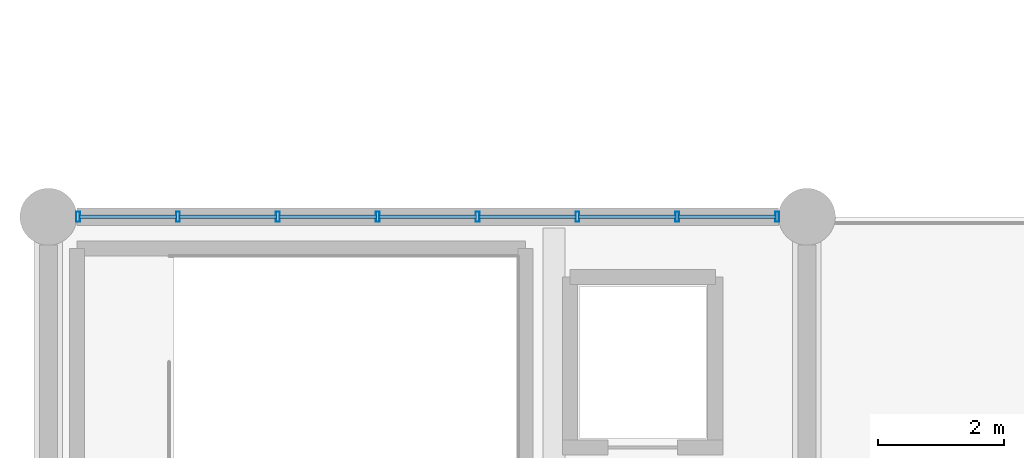
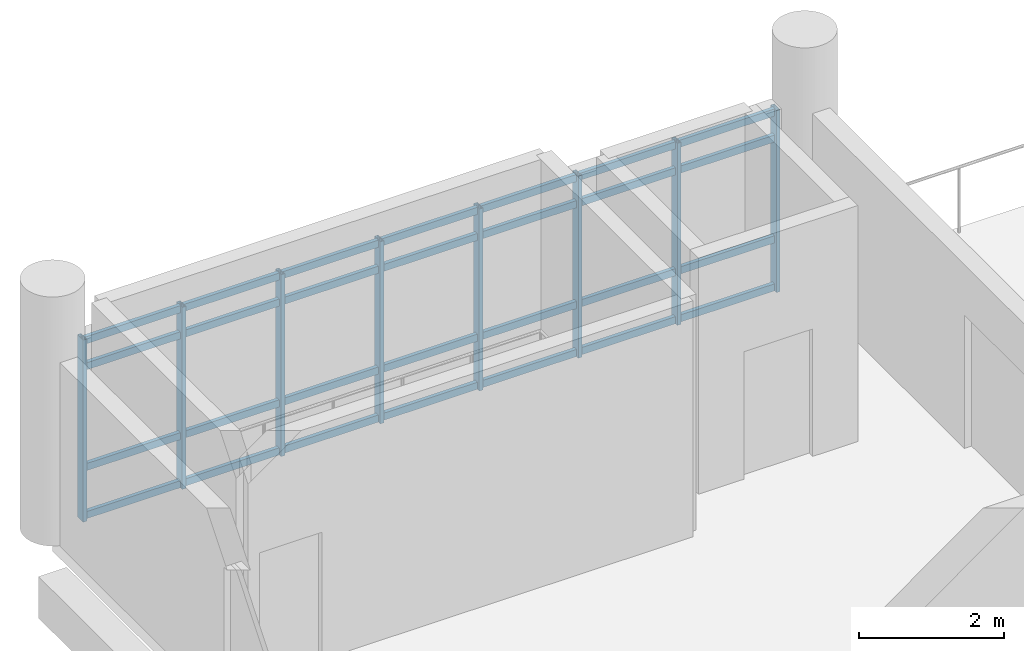
# One storey, part 8 of 111: 36 members, 1 element without a shape of its own.
"""IFC4 building model written with IfcOpenShell, lengths in metres."""

from ifc_helpers import new_model, si_unit, direction, frame, origin, origin_2d, place, context, subcontext, project, spatial, hollow_rectangle, extrude, material, layer, layer_set, material_profile, profile_set, type_object, element, aggregate, save


model = new_model("IFC4")

# Units and contexts
model_context = context("Model", 3, precision=1e-05, world=origin(), true_north=direction((0.0, 1.0)))
body_context = subcontext(model_context, "Body", "Model", "MODEL_VIEW")
ifc_project = project(units=[si_unit("LENGTHUNIT", "METRE"), si_unit("AREAUNIT", "SQUARE_METRE"), si_unit("VOLUMEUNIT", "CUBIC_METRE"), si_unit("PLANEANGLEUNIT", "RADIAN"), si_unit("MASSUNIT", "GRAM", prefix="KILO")], contexts=[model_context])

# Site, building, storey
site_placement = place(None, origin())
site = spatial("IfcSite", under=ifc_project, at=site_placement, CompositionType="ELEMENT")
building_placement = place(site_placement, origin())
building = spatial("IfcBuilding", under=site, at=building_placement, Name="Mersad Railyard Sports Hall", CompositionType="ELEMENT")
storey_placement = place(building_placement, frame((0.0, 0.0, 9.0)))
storey = spatial("IfcBuildingStorey", under=building, at=storey_placement, Name="L02", CompositionType="ELEMENT", Elevation=9.0)

# Curtain wall, members
ifc_material = material(Name="Aluminium 6063-T6", Category="aluminium")
ifc_layer = layer(ifc_material, 0.159912109375)
ifc_layer_set = layer_set([ifc_layer], Name="Aluminium 6063-T6")
curtain_wall_type = type_object("IfcCurtainWallType", Name="ARC-CW-CW06", PredefinedType="USERDEFINED", material=ifc_layer_set)
curtain_wall_placement = place(storey_placement, origin())
curtain_wall = element("IfcCurtainWall", 1, at=curtain_wall_placement, inside=storey, type_object=curtain_wall_type, Name="Curtain wall CW06-0031", ObjectType="CURTAIN WALL", PredefinedType="USERDEFINED")
ifc_material_profile_1 = material_profile(ifc_material, hollow_rectangle(XDim=0.06005859375, YDim=0.159912109375, WallThickness=0.00390625, at=origin_2d()), Name="AL MULLION 60x160x4")
ifc_profile_set_1 = profile_set([ifc_material_profile_1], Name="Aluminium 6063-T6")
member_type_1 = type_object("IfcMemberType", Name="ARC-CW-MUL01", PredefinedType="MULLION", material=ifc_profile_set_1)
member_1_placement = place(storey_placement, frame((7.469970703125, 53.5, -0.02001953125), z_axis=(0.0, 0.0, 1.0), x_axis=(1.0, 0.0, 0.0)))
member_1 = element("IfcMember", 2, at=member_1_placement, type_object=member_type_1, Name="CW06 Mullion 1", PredefinedType="MULLION", context=body_context, shape_type="SweptSolid", body=[
    extrude(hollow_rectangle(XDim=0.06005859375, YDim=0.159912109375, WallThickness=0.00390625, at=origin_2d()), origin(), (0.0, 0.0, 1.0), 3.070068359375),
])
member_2_placement = place(storey_placement, frame((9.050048828125, 53.5, -0.02001953125), z_axis=(0.0, 0.0, 1.0), x_axis=(1.0, 0.0, 0.0)))
member_2 = element("IfcMember", 3, at=member_2_placement, type_object=member_type_1, Name="CW06 Mullion 2", PredefinedType="MULLION", context=body_context, shape_type="SweptSolid", body=[
    extrude(hollow_rectangle(XDim=0.06005859375, YDim=0.159912109375, WallThickness=0.00390625, at=origin_2d()), origin(), (0.0, 0.0, 1.0), 3.070068359375),
])
member_3_placement = place(storey_placement, frame((10.6298828125, 53.5, -0.02001953125), z_axis=(0.0, 0.0, 1.0), x_axis=(1.0, 0.0, 0.0)))
member_3 = element("IfcMember", 4, at=member_3_placement, type_object=member_type_1, Name="CW06 Mullion 3", PredefinedType="MULLION", context=body_context, shape_type="SweptSolid", body=[
    extrude(hollow_rectangle(XDim=0.06005859375, YDim=0.159912109375, WallThickness=0.00390625, at=origin_2d()), origin(), (0.0, 0.0, 1.0), 3.070068359375),
])
member_4_placement = place(storey_placement, frame((12.2099609375, 53.5, -0.02001953125), z_axis=(0.0, 0.0, 1.0), x_axis=(1.0, 0.0, 0.0)))
member_4 = element("IfcMember", 5, at=member_4_placement, type_object=member_type_1, Name="CW06 Mullion 4", PredefinedType="MULLION", context=body_context, shape_type="SweptSolid", body=[
    extrude(hollow_rectangle(XDim=0.06005859375, YDim=0.159912109375, WallThickness=0.00390625, at=origin_2d()), origin(), (0.0, 0.0, 1.0), 3.070068359375),
])
member_5_placement = place(storey_placement, frame((13.7900390625, 53.5, -0.02001953125), z_axis=(0.0, 0.0, 1.0), x_axis=(1.0, 0.0, 0.0)))
member_5 = element("IfcMember", 6, at=member_5_placement, type_object=member_type_1, Name="CW06 Mullion 5", PredefinedType="MULLION", context=body_context, shape_type="SweptSolid", body=[
    extrude(hollow_rectangle(XDim=0.06005859375, YDim=0.159912109375, WallThickness=0.00390625, at=origin_2d()), origin(), (0.0, 0.0, 1.0), 3.070068359375),
])
member_6_placement = place(storey_placement, frame((15.3701171875, 53.5, -0.02001953125), z_axis=(0.0, 0.0, 1.0), x_axis=(1.0, 0.0, 0.0)))
member_6 = element("IfcMember", 7, at=member_6_placement, type_object=member_type_1, Name="CW06 Mullion 6", PredefinedType="MULLION", context=body_context, shape_type="SweptSolid", body=[
    extrude(hollow_rectangle(XDim=0.06005859375, YDim=0.159912109375, WallThickness=0.00390625, at=origin_2d()), origin(), (0.0, 0.0, 1.0), 3.070068359375),
])
member_7_placement = place(storey_placement, frame((16.949951171875, 53.5, -0.02001953125), z_axis=(0.0, 0.0, 1.0), x_axis=(1.0, 0.0, 0.0)))
member_7 = element("IfcMember", 8, at=member_7_placement, type_object=member_type_1, Name="CW06 Mullion 7", PredefinedType="MULLION", context=body_context, shape_type="SweptSolid", body=[
    extrude(hollow_rectangle(XDim=0.06005859375, YDim=0.159912109375, WallThickness=0.00390625, at=origin_2d()), origin(), (0.0, 0.0, 1.0), 3.070068359375),
])
member_8_placement = place(storey_placement, frame((18.530029296875, 53.5, -0.02001953125), z_axis=(0.0, 0.0, 1.0), x_axis=(1.0, 0.0, 0.0)))
member_8 = element("IfcMember", 9, at=member_8_placement, type_object=member_type_1, Name="CW06 Mullion 8", PredefinedType="MULLION", context=body_context, shape_type="SweptSolid", body=[
    extrude(hollow_rectangle(XDim=0.06005859375, YDim=0.159912109375, WallThickness=0.00390625, at=origin_2d()), origin(), (0.0, 0.0, 1.0), 3.070068359375),
])
ifc_material_profile_2 = material_profile(ifc_material, hollow_rectangle(XDim=0.06005859375, YDim=0.1201171875, WallThickness=0.00390625, at=origin_2d()), Name="AL TRANSOM 60x120x4")
ifc_profile_set_2 = profile_set([ifc_material_profile_2], Name="Aluminium 6063-T6")
member_type_2 = type_object("IfcMemberType", Name="ARC-CW-TRN01", PredefinedType="USERDEFINED", material=ifc_profile_set_2)
member_9_placement = place(storey_placement, frame((7.489990234375, 53.5, 0.0400390625), z_axis=(1.0, 0.0, 0.0), x_axis=(0.0, 1.0, 0.0)))
member_9 = element("IfcMember", 10, at=member_9_placement, type_object=member_type_2, Name="CW06 Transom 1-1", ObjectType="TRANSOM", PredefinedType="USERDEFINED", context=body_context, shape_type="SweptSolid", body=[
    extrude(hollow_rectangle(XDim=0.06005859375, YDim=0.1201171875, WallThickness=0.00390625, at=origin_2d()), origin(), (0.0, 0.0, 1.0), 1.5400390625),
])
member_10_placement = place(storey_placement, frame((9.070068359375, 53.5, 0.0400390625), z_axis=(1.0, 0.0, 0.0), x_axis=(0.0, 1.0, 0.0)))
member_10 = element("IfcMember", 11, at=member_10_placement, type_object=member_type_2, Name="CW06 Transom 1-2", ObjectType="TRANSOM", PredefinedType="USERDEFINED", context=body_context, shape_type="SweptSolid", body=[
    extrude(hollow_rectangle(XDim=0.06005859375, YDim=0.1201171875, WallThickness=0.00390625, at=origin_2d()), origin(), (0.0, 0.0, 1.0), 1.5400390625),
])
member_11_placement = place(storey_placement, frame((10.64990234375, 53.5, 0.0400390625), z_axis=(1.0, 0.0, 0.0), x_axis=(0.0, 1.0, 0.0)))
member_11 = element("IfcMember", 12, at=member_11_placement, type_object=member_type_2, Name="CW06 Transom 1-3", ObjectType="TRANSOM", PredefinedType="USERDEFINED", context=body_context, shape_type="SweptSolid", body=[
    extrude(hollow_rectangle(XDim=0.06005859375, YDim=0.1201171875, WallThickness=0.00390625, at=origin_2d()), origin(), (0.0, 0.0, 1.0), 1.5400390625),
])
member_12_placement = place(storey_placement, frame((12.22998046875, 53.5, 0.0400390625), z_axis=(1.0, 0.0, 0.0), x_axis=(0.0, 1.0, 0.0)))
member_12 = element("IfcMember", 13, at=member_12_placement, type_object=member_type_2, Name="CW06 Transom 1-4", ObjectType="TRANSOM", PredefinedType="USERDEFINED", context=body_context, shape_type="SweptSolid", body=[
    extrude(hollow_rectangle(XDim=0.06005859375, YDim=0.1201171875, WallThickness=0.00390625, at=origin_2d()), origin(), (0.0, 0.0, 1.0), 1.5400390625),
])
member_13_placement = place(storey_placement, frame((13.81005859375, 53.5, 0.0400390625), z_axis=(1.0, 0.0, 0.0), x_axis=(0.0, 1.0, 0.0)))
member_13 = element("IfcMember", 14, at=member_13_placement, type_object=member_type_2, Name="CW06 Transom 1-5", ObjectType="TRANSOM", PredefinedType="USERDEFINED", context=body_context, shape_type="SweptSolid", body=[
    extrude(hollow_rectangle(XDim=0.06005859375, YDim=0.1201171875, WallThickness=0.00390625, at=origin_2d()), origin(), (0.0, 0.0, 1.0), 1.5400390625),
])
member_14_placement = place(storey_placement, frame((15.389892578125, 53.5, 0.0400390625), z_axis=(1.0, 0.0, 0.0), x_axis=(0.0, 1.0, 0.0)))
member_14 = element("IfcMember", 15, at=member_14_placement, type_object=member_type_2, Name="CW06 Transom 1-6", ObjectType="TRANSOM", PredefinedType="USERDEFINED", context=body_context, shape_type="SweptSolid", body=[
    extrude(hollow_rectangle(XDim=0.06005859375, YDim=0.1201171875, WallThickness=0.00390625, at=origin_2d()), origin(), (0.0, 0.0, 1.0), 1.5400390625),
])
member_15_placement = place(storey_placement, frame((16.969970703125, 53.5, 0.0400390625), z_axis=(1.0, 0.0, 0.0), x_axis=(0.0, 1.0, 0.0)))
member_15 = element("IfcMember", 16, at=member_15_placement, type_object=member_type_2, Name="CW06 Transom 1-7", ObjectType="TRANSOM", PredefinedType="USERDEFINED", context=body_context, shape_type="SweptSolid", body=[
    extrude(hollow_rectangle(XDim=0.06005859375, YDim=0.1201171875, WallThickness=0.00390625, at=origin_2d()), origin(), (0.0, 0.0, 1.0), 1.5400390625),
])
member_16_placement = place(storey_placement, frame((7.489990234375, 53.5, 0.85009765625), z_axis=(1.0, 0.0, 0.0), x_axis=(0.0, 1.0, 0.0)))
member_16 = element("IfcMember", 17, at=member_16_placement, type_object=member_type_2, Name="CW06 Transom 2-1", ObjectType="TRANSOM", PredefinedType="USERDEFINED", context=body_context, shape_type="SweptSolid", body=[
    extrude(hollow_rectangle(XDim=0.06005859375, YDim=0.1201171875, WallThickness=0.00390625, at=origin_2d()), origin(), (0.0, 0.0, 1.0), 1.5400390625),
])
member_17_placement = place(storey_placement, frame((9.070068359375, 53.5, 0.85009765625), z_axis=(1.0, 0.0, 0.0), x_axis=(0.0, 1.0, 0.0)))
member_17 = element("IfcMember", 18, at=member_17_placement, type_object=member_type_2, Name="CW06 Transom 2-2", ObjectType="TRANSOM", PredefinedType="USERDEFINED", context=body_context, shape_type="SweptSolid", body=[
    extrude(hollow_rectangle(XDim=0.06005859375, YDim=0.1201171875, WallThickness=0.00390625, at=origin_2d()), origin(), (0.0, 0.0, 1.0), 1.5400390625),
])
member_18_placement = place(storey_placement, frame((10.64990234375, 53.5, 0.85009765625), z_axis=(1.0, 0.0, 0.0), x_axis=(0.0, 1.0, 0.0)))
member_18 = element("IfcMember", 19, at=member_18_placement, type_object=member_type_2, Name="CW06 Transom 2-3", ObjectType="TRANSOM", PredefinedType="USERDEFINED", context=body_context, shape_type="SweptSolid", body=[
    extrude(hollow_rectangle(XDim=0.06005859375, YDim=0.1201171875, WallThickness=0.00390625, at=origin_2d()), origin(), (0.0, 0.0, 1.0), 1.5400390625),
])
member_19_placement = place(storey_placement, frame((12.22998046875, 53.5, 0.85009765625), z_axis=(1.0, 0.0, 0.0), x_axis=(0.0, 1.0, 0.0)))
member_19 = element("IfcMember", 20, at=member_19_placement, type_object=member_type_2, Name="CW06 Transom 2-4", ObjectType="TRANSOM", PredefinedType="USERDEFINED", context=body_context, shape_type="SweptSolid", body=[
    extrude(hollow_rectangle(XDim=0.06005859375, YDim=0.1201171875, WallThickness=0.00390625, at=origin_2d()), origin(), (0.0, 0.0, 1.0), 1.5400390625),
])
member_20_placement = place(storey_placement, frame((13.81005859375, 53.5, 0.85009765625), z_axis=(1.0, 0.0, 0.0), x_axis=(0.0, 1.0, 0.0)))
member_20 = element("IfcMember", 21, at=member_20_placement, type_object=member_type_2, Name="CW06 Transom 2-5", ObjectType="TRANSOM", PredefinedType="USERDEFINED", context=body_context, shape_type="SweptSolid", body=[
    extrude(hollow_rectangle(XDim=0.06005859375, YDim=0.1201171875, WallThickness=0.00390625, at=origin_2d()), origin(), (0.0, 0.0, 1.0), 1.5400390625),
])
member_21_placement = place(storey_placement, frame((15.389892578125, 53.5, 0.85009765625), z_axis=(1.0, 0.0, 0.0), x_axis=(0.0, 1.0, 0.0)))
member_21 = element("IfcMember", 22, at=member_21_placement, type_object=member_type_2, Name="CW06 Transom 2-6", ObjectType="TRANSOM", PredefinedType="USERDEFINED", context=body_context, shape_type="SweptSolid", body=[
    extrude(hollow_rectangle(XDim=0.06005859375, YDim=0.1201171875, WallThickness=0.00390625, at=origin_2d()), origin(), (0.0, 0.0, 1.0), 1.5400390625),
])
member_22_placement = place(storey_placement, frame((16.969970703125, 53.5, 0.85009765625), z_axis=(1.0, 0.0, 0.0), x_axis=(0.0, 1.0, 0.0)))
member_22 = element("IfcMember", 23, at=member_22_placement, type_object=member_type_2, Name="CW06 Transom 2-7", ObjectType="TRANSOM", PredefinedType="USERDEFINED", context=body_context, shape_type="SweptSolid", body=[
    extrude(hollow_rectangle(XDim=0.06005859375, YDim=0.1201171875, WallThickness=0.00390625, at=origin_2d()), origin(), (0.0, 0.0, 1.0), 1.5400390625),
])
member_23_placement = place(storey_placement, frame((7.489990234375, 53.5, 2.550048828125), z_axis=(1.0, 0.0, 0.0), x_axis=(0.0, 1.0, 0.0)))
member_23 = element("IfcMember", 24, at=member_23_placement, type_object=member_type_2, Name="CW06 Transom 3-1", ObjectType="TRANSOM", PredefinedType="USERDEFINED", context=body_context, shape_type="SweptSolid", body=[
    extrude(hollow_rectangle(XDim=0.06005859375, YDim=0.1201171875, WallThickness=0.00390625, at=origin_2d()), origin(), (0.0, 0.0, 1.0), 1.5400390625),
])
member_24_placement = place(storey_placement, frame((9.070068359375, 53.5, 2.550048828125), z_axis=(1.0, 0.0, 0.0), x_axis=(0.0, 1.0, 0.0)))
member_24 = element("IfcMember", 25, at=member_24_placement, type_object=member_type_2, Name="CW06 Transom 3-2", ObjectType="TRANSOM", PredefinedType="USERDEFINED", context=body_context, shape_type="SweptSolid", body=[
    extrude(hollow_rectangle(XDim=0.06005859375, YDim=0.1201171875, WallThickness=0.00390625, at=origin_2d()), origin(), (0.0, 0.0, 1.0), 1.5400390625),
])
member_25_placement = place(storey_placement, frame((10.64990234375, 53.5, 2.550048828125), z_axis=(1.0, 0.0, 0.0), x_axis=(0.0, 1.0, 0.0)))
member_25 = element("IfcMember", 26, at=member_25_placement, type_object=member_type_2, Name="CW06 Transom 3-3", ObjectType="TRANSOM", PredefinedType="USERDEFINED", context=body_context, shape_type="SweptSolid", body=[
    extrude(hollow_rectangle(XDim=0.06005859375, YDim=0.1201171875, WallThickness=0.00390625, at=origin_2d()), origin(), (0.0, 0.0, 1.0), 1.5400390625),
])
member_26_placement = place(storey_placement, frame((12.22998046875, 53.5, 2.550048828125), z_axis=(1.0, 0.0, 0.0), x_axis=(0.0, 1.0, 0.0)))
member_26 = element("IfcMember", 27, at=member_26_placement, type_object=member_type_2, Name="CW06 Transom 3-4", ObjectType="TRANSOM", PredefinedType="USERDEFINED", context=body_context, shape_type="SweptSolid", body=[
    extrude(hollow_rectangle(XDim=0.06005859375, YDim=0.1201171875, WallThickness=0.00390625, at=origin_2d()), origin(), (0.0, 0.0, 1.0), 1.5400390625),
])
member_27_placement = place(storey_placement, frame((13.81005859375, 53.5, 2.550048828125), z_axis=(1.0, 0.0, 0.0), x_axis=(0.0, 1.0, 0.0)))
member_27 = element("IfcMember", 28, at=member_27_placement, type_object=member_type_2, Name="CW06 Transom 3-5", ObjectType="TRANSOM", PredefinedType="USERDEFINED", context=body_context, shape_type="SweptSolid", body=[
    extrude(hollow_rectangle(XDim=0.06005859375, YDim=0.1201171875, WallThickness=0.00390625, at=origin_2d()), origin(), (0.0, 0.0, 1.0), 1.5400390625),
])
member_28_placement = place(storey_placement, frame((15.389892578125, 53.5, 2.550048828125), z_axis=(1.0, 0.0, 0.0), x_axis=(0.0, 1.0, 0.0)))
member_28 = element("IfcMember", 29, at=member_28_placement, type_object=member_type_2, Name="CW06 Transom 3-6", ObjectType="TRANSOM", PredefinedType="USERDEFINED", context=body_context, shape_type="SweptSolid", body=[
    extrude(hollow_rectangle(XDim=0.06005859375, YDim=0.1201171875, WallThickness=0.00390625, at=origin_2d()), origin(), (0.0, 0.0, 1.0), 1.5400390625),
])
member_29_placement = place(storey_placement, frame((16.969970703125, 53.5, 2.550048828125), z_axis=(1.0, 0.0, 0.0), x_axis=(0.0, 1.0, 0.0)))
member_29 = element("IfcMember", 30, at=member_29_placement, type_object=member_type_2, Name="CW06 Transom 3-7", ObjectType="TRANSOM", PredefinedType="USERDEFINED", context=body_context, shape_type="SweptSolid", body=[
    extrude(hollow_rectangle(XDim=0.06005859375, YDim=0.1201171875, WallThickness=0.00390625, at=origin_2d()), origin(), (0.0, 0.0, 1.0), 1.5400390625),
])
member_30_placement = place(storey_placement, frame((7.489990234375, 53.5, 2.989990234375), z_axis=(1.0, 0.0, 0.0), x_axis=(0.0, 1.0, 0.0)))
member_30 = element("IfcMember", 31, at=member_30_placement, type_object=member_type_2, Name="CW06 Transom 4-1", ObjectType="TRANSOM", PredefinedType="USERDEFINED", context=body_context, shape_type="SweptSolid", body=[
    extrude(hollow_rectangle(XDim=0.06005859375, YDim=0.1201171875, WallThickness=0.00390625, at=origin_2d()), origin(), (0.0, 0.0, 1.0), 1.5400390625),
])
member_31_placement = place(storey_placement, frame((9.070068359375, 53.5, 2.989990234375), z_axis=(1.0, 0.0, 0.0), x_axis=(0.0, 1.0, 0.0)))
member_31 = element("IfcMember", 32, at=member_31_placement, type_object=member_type_2, Name="CW06 Transom 4-2", ObjectType="TRANSOM", PredefinedType="USERDEFINED", context=body_context, shape_type="SweptSolid", body=[
    extrude(hollow_rectangle(XDim=0.06005859375, YDim=0.1201171875, WallThickness=0.00390625, at=origin_2d()), origin(), (0.0, 0.0, 1.0), 1.5400390625),
])
member_32_placement = place(storey_placement, frame((10.64990234375, 53.5, 2.989990234375), z_axis=(1.0, 0.0, 0.0), x_axis=(0.0, 1.0, 0.0)))
member_32 = element("IfcMember", 33, at=member_32_placement, type_object=member_type_2, Name="CW06 Transom 4-3", ObjectType="TRANSOM", PredefinedType="USERDEFINED", context=body_context, shape_type="SweptSolid", body=[
    extrude(hollow_rectangle(XDim=0.06005859375, YDim=0.1201171875, WallThickness=0.00390625, at=origin_2d()), origin(), (0.0, 0.0, 1.0), 1.5400390625),
])
member_33_placement = place(storey_placement, frame((12.22998046875, 53.5, 2.989990234375), z_axis=(1.0, 0.0, 0.0), x_axis=(0.0, 1.0, 0.0)))
member_33 = element("IfcMember", 34, at=member_33_placement, type_object=member_type_2, Name="CW06 Transom 4-4", ObjectType="TRANSOM", PredefinedType="USERDEFINED", context=body_context, shape_type="SweptSolid", body=[
    extrude(hollow_rectangle(XDim=0.06005859375, YDim=0.1201171875, WallThickness=0.00390625, at=origin_2d()), origin(), (0.0, 0.0, 1.0), 1.5400390625),
])
member_34_placement = place(storey_placement, frame((13.81005859375, 53.5, 2.989990234375), z_axis=(1.0, 0.0, 0.0), x_axis=(0.0, 1.0, 0.0)))
member_34 = element("IfcMember", 35, at=member_34_placement, type_object=member_type_2, Name="CW06 Transom 4-5", ObjectType="TRANSOM", PredefinedType="USERDEFINED", context=body_context, shape_type="SweptSolid", body=[
    extrude(hollow_rectangle(XDim=0.06005859375, YDim=0.1201171875, WallThickness=0.00390625, at=origin_2d()), origin(), (0.0, 0.0, 1.0), 1.5400390625),
])
member_35_placement = place(storey_placement, frame((15.389892578125, 53.5, 2.989990234375), z_axis=(1.0, 0.0, 0.0), x_axis=(0.0, 1.0, 0.0)))
member_35 = element("IfcMember", 36, at=member_35_placement, type_object=member_type_2, Name="CW06 Transom 4-6", ObjectType="TRANSOM", PredefinedType="USERDEFINED", context=body_context, shape_type="SweptSolid", body=[
    extrude(hollow_rectangle(XDim=0.06005859375, YDim=0.1201171875, WallThickness=0.00390625, at=origin_2d()), origin(), (0.0, 0.0, 1.0), 1.5400390625),
])
member_36_placement = place(storey_placement, frame((16.969970703125, 53.5, 2.989990234375), z_axis=(1.0, 0.0, 0.0), x_axis=(0.0, 1.0, 0.0)))
member_36 = element("IfcMember", 37, at=member_36_placement, type_object=member_type_2, Name="CW06 Transom 4-7", ObjectType="TRANSOM", PredefinedType="USERDEFINED", context=body_context, shape_type="SweptSolid", body=[
    extrude(hollow_rectangle(XDim=0.06005859375, YDim=0.1201171875, WallThickness=0.00390625, at=origin_2d()), origin(), (0.0, 0.0, 1.0), 1.5400390625),
])
aggregate(curtain_wall, [member_1, member_2, member_3, member_4, member_5, member_6, member_7, member_8, member_9, member_10, member_11, member_12, member_13, member_14, member_15, member_16, member_17, member_18, member_19, member_20, member_21, member_22, member_23, member_24, member_25, member_26, member_27, member_28, member_29, member_30, member_31, member_32, member_33, member_34, member_35, member_36])

save(model, "model.ifc")
